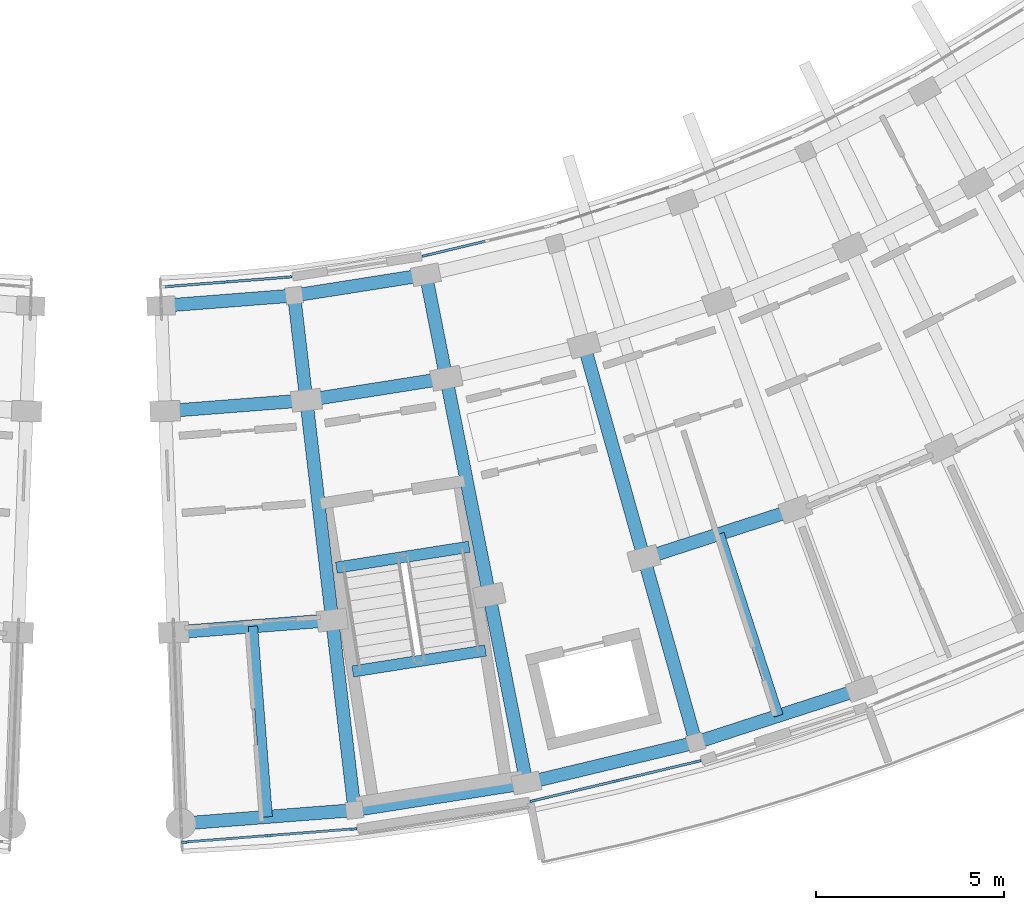
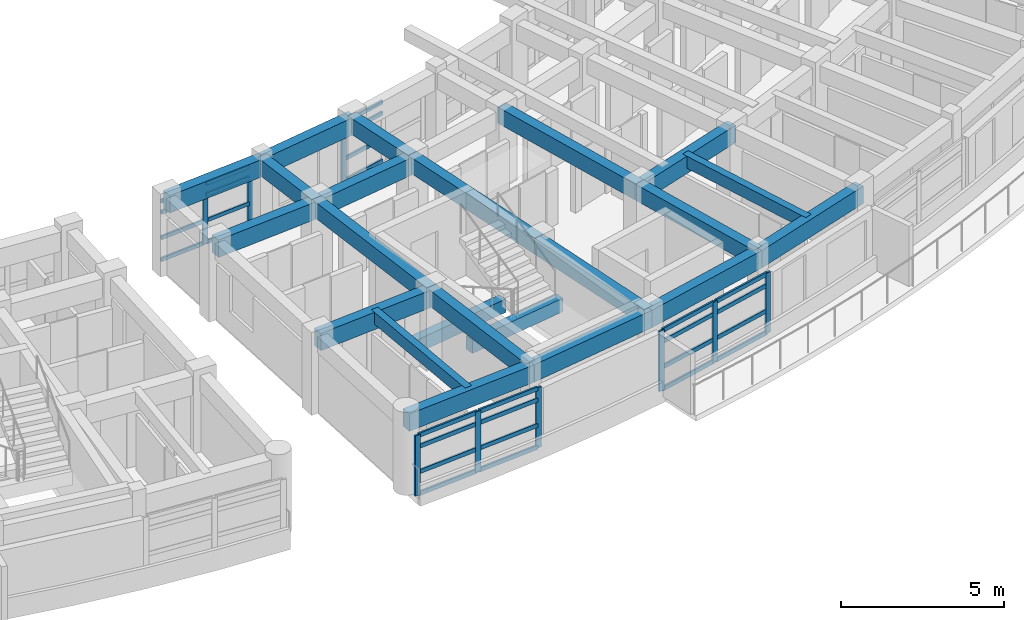
# One storey, part 17 of 55: 37 members, 22 beams, 4 elements without a shape of their own.
"""IFC4 building model written with IfcOpenShell, lengths in metres."""

from ifc_helpers import new_model, si_unit, direction, frame, origin, origin_2d, place, context, subcontext, project, spatial, rectangle, extrude, material, material_profile, profile_set, type_object, element, aggregate, save


model = new_model("IFC4")

# Units and contexts
model_context = context("Model", 3, precision=1e-05, world=origin(), true_north=direction((0.0, 1.0)))
body_context = subcontext(model_context, "Body", "Model", "MODEL_VIEW")
ifc_project = project(units=[si_unit("LENGTHUNIT", "METRE"), si_unit("AREAUNIT", "SQUARE_METRE"), si_unit("VOLUMEUNIT", "CUBIC_METRE"), si_unit("PLANEANGLEUNIT", "RADIAN"), si_unit("MASSUNIT", "GRAM", prefix="KILO")], contexts=[model_context])

# Site, building, storey
site_placement = place(None, origin())
site = spatial("IfcSite", under=ifc_project, at=site_placement, CompositionType="ELEMENT")
building_placement = place(site_placement, origin())
building = spatial("IfcBuilding", under=site, at=building_placement, Name="Zimvara Arc Housing Community", CompositionType="ELEMENT")
storey_placement = place(building_placement, frame((0.0, 0.0, 14.300048828125)))
storey = spatial("IfcBuildingStorey", under=building, at=storey_placement, Name="L04", CompositionType="ELEMENT", Elevation=14.300048828125)

# Beams
ifc_material_1 = material(Name="Concrete C40/50", Category="concrete")
ifc_material_profile_1 = material_profile(ifc_material_1, rectangle(XDim=0.25, YDim=0.449951171875, at=origin_2d()), Name="RC 250x450")
ifc_profile_set_1 = profile_set([ifc_material_profile_1], Name="Concrete C40/50")
beam_type_1 = type_object("IfcBeamType", Name="BM-RC-250x450", PredefinedType="JOIST", material=ifc_profile_set_1)
beam_1_placement = place(storey_placement, frame((130.151123046875, 56.263427734375, 2.635009765625), z_axis=(0.077579175615, -0.996986194243, 0.0), x_axis=(0.996986194243, 0.077579175615, 0.0)))
element("IfcBeam", 1, at=beam_1_placement, inside=storey, type_object=beam_type_1, Name="bm:blkD:L04:joist:b0", PredefinedType="JOIST", context=body_context, shape_type="SweptSolid", body=[
    extrude(rectangle(XDim=0.25, YDim=0.449951171875, at=origin_2d()), origin(), (0.0, 0.0, 1.0), 5.076171875),
])
beam_2_placement = place(storey_placement, frame((142.547607421875, 58.718017578125, 2.635009765625), z_axis=(0.308208278328, -0.951318904033, 0.0), x_axis=(0.951318904033, 0.308208278328, 0.0)))
element("IfcBeam", 2, at=beam_2_placement, inside=storey, type_object=beam_type_1, Name="bm:blkD:L04:joist:b3", PredefinedType="JOIST", context=body_context, shape_type="SweptSolid", body=[
    extrude(rectangle(XDim=0.25, YDim=0.449951171875, at=origin_2d()), origin(), (0.0, 0.0, 1.0), 5.075927734375),
])
ifc_material_2 = material(Name="Concrete C40/50", Category="concrete")
ifc_material_profile_2 = material_profile(ifc_material_2, rectangle(XDim=0.300048828125, YDim=0.5, at=origin_2d()), Name="RC 300x500")
ifc_profile_set_2 = profile_set([ifc_material_profile_2], Name="Concrete C40/50")
beam_type_2 = type_object("IfcBeamType", Name="BM-RC-300x500", PredefinedType="BEAM", material=ifc_profile_set_2)
for number, where, z_axis, x_axis, name in (
    (3, (132.36865234375, 57.8203125, -0.25), (0.987823881982, 0.155576277709, 0.0), (-0.155576277709, 0.987823881982, 0.0), "bm:stair_trim:ST-D1:L04:near"),
    (4, (132.802734375, 55.064208984375, 1.300048828125), (0.987823881982, 0.155576277709, 0.0), (-0.155576277709, 0.987823881982, 0.0), "bm:stair_trim:ST-D1:L04:mid"),
):
    element("IfcBeam", number, at=place(storey_placement, frame(where, z_axis=z_axis, x_axis=x_axis)), inside=storey, type_object=beam_type_2, Name=name, PredefinedType="BEAM", context=body_context, shape_type="SweptSolid", body=[
        extrude(rectangle(XDim=0.300048828125, YDim=0.5, at=origin_2d()), origin(), (0.0, 0.0, 1.0), 3.570068359375),
    ])
ifc_material_3 = material(Name="Concrete C40/50", Category="concrete")
ifc_material_profile_3 = material_profile(ifc_material_3, rectangle(XDim=0.35009765625, YDim=0.60009765625, at=origin_2d()), Name="RC 350x600")
ifc_profile_set_3 = profile_set([ifc_material_profile_3], Name="Concrete C40/50")
beam_type_3 = type_object("IfcBeamType", Name="BM-RC-350x600", PredefinedType="BEAM", material=ifc_profile_set_3)
beam_3_placement = place(storey_placement, frame((131.244140625, 65.048095703125, 2.56005859375), z_axis=(0.116669233141, -0.993170826212, 0.0), x_axis=(0.993170826212, 0.116669233141, 0.0)))
element("IfcBeam", 5, at=beam_3_placement, inside=storey, type_object=beam_type_3, Name="bm:blkD:L04:rad:b1:r01", PredefinedType="BEAM", context=body_context, shape_type="SweptSolid", body=[
    extrude(rectangle(XDim=0.35009765625, YDim=0.60009765625, at=origin_2d()), origin(), (0.0, 0.0, 1.0), 2.7998046875),
])
beam_4_placement = place(storey_placement, frame((131.57080078125, 62.267333984375, 2.56005859375), z_axis=(0.116672613124, -0.993170429154, 0.0), x_axis=(0.993170429154, 0.116672613124, 0.0)))
element("IfcBeam", 6, at=beam_4_placement, inside=storey, type_object=beam_type_3, Name="bm:blkD:L04:rad:b1:r12", PredefinedType="BEAM", context=body_context, shape_type="SweptSolid", body=[
    extrude(rectangle(XDim=0.35009765625, YDim=0.60009765625, at=origin_2d()), origin(), (0.0, 0.0, 1.0), 5.8798828125),
])
beam_5_placement = place(storey_placement, frame((132.2568359375, 56.427490234375, 2.56005859375), z_axis=(0.116685098261, -0.993168962384, 0.0), x_axis=(0.993168962384, 0.116685098261, 0.0)))
element("IfcBeam", 7, at=beam_5_placement, inside=storey, type_object=beam_type_3, Name="bm:blkD:L04:rad:b1:r23", PredefinedType="BEAM", context=body_context, shape_type="SweptSolid", body=[
    extrude(rectangle(XDim=0.35009765625, YDim=0.60009765625, at=origin_2d()), origin(), (0.0, 0.0, 1.0), 5.080078125),
])
beam_6_placement = place(storey_placement, frame((134.743896484375, 65.599365234375, 2.56005859375), z_axis=(0.194170755423, -0.980967745514, 0.0), x_axis=(0.980967745514, 0.194170755423, 0.0)))
element("IfcBeam", 8, at=beam_6_placement, inside=storey, type_object=beam_type_3, Name="bm:blkD:L04:rad:b2:r01", PredefinedType="BEAM", context=body_context, shape_type="SweptSolid", body=[
    extrude(rectangle(XDim=0.35009765625, YDim=0.60009765625, at=origin_2d()), origin(), (0.0, 0.0, 1.0), 2.800048828125),
])
beam_7_placement = place(storey_placement, frame((135.28759765625, 62.8525390625, 2.56005859375), z_axis=(0.194239306935, -0.980954174078, 0.0), x_axis=(0.980954174078, 0.194239306935, 0.0)))
element("IfcBeam", 9, at=beam_7_placement, inside=storey, type_object=beam_type_3, Name="bm:blkD:L04:rad:b2:r12", PredefinedType="BEAM", context=body_context, shape_type="SweptSolid", body=[
    extrude(rectangle(XDim=0.35009765625, YDim=0.60009765625, at=origin_2d()), origin(), (0.0, 0.0, 1.0), 5.8798828125),
])
beam_8_placement = place(storey_placement, frame((136.4296875, 57.084716796875, 2.56005859375), z_axis=(0.194248925774, -0.980952269397, 0.0), x_axis=(0.980952269397, 0.194248925774, 0.0)))
element("IfcBeam", 10, at=beam_8_placement, inside=storey, type_object=beam_type_3, Name="bm:blkD:L04:rad:b2:r23", PredefinedType="BEAM", context=body_context, shape_type="SweptSolid", body=[
    extrude(rectangle(XDim=0.35009765625, YDim=0.60009765625, at=origin_2d()), origin(), (0.0, 0.0, 1.0), 5.080078125),
])
beam_9_placement = place(storey_placement, frame((138.947265625, 63.727783203125, 2.56005859375), z_axis=(0.270589260785, -0.962694890372, 0.0), x_axis=(0.962694890372, 0.270589260785, 0.0)))
element("IfcBeam", 11, at=beam_9_placement, inside=storey, type_object=beam_type_3, Name="bm:blkD:L04:rad:b3:r12", PredefinedType="BEAM", context=body_context, shape_type="SweptSolid", body=[
    extrude(rectangle(XDim=0.35009765625, YDim=0.60009765625, at=origin_2d()), origin(), (0.0, 0.0, 1.0), 5.8798828125),
])
beam_10_placement = place(storey_placement, frame((140.538330078125, 58.067138671875, 2.56005859375), z_axis=(0.270579949442, -0.962697507507, 0.0), x_axis=(0.962697507507, 0.270579949442, 0.0)))
element("IfcBeam", 12, at=beam_10_placement, inside=storey, type_object=beam_type_3, Name="bm:blkD:L04:rad:b3:r23", PredefinedType="BEAM", context=body_context, shape_type="SweptSolid", body=[
    extrude(rectangle(XDim=0.35009765625, YDim=0.60009765625, at=origin_2d()), origin(), (0.0, 0.0, 1.0), 5.079833984375),
])
ifc_material_4 = material(Name="Concrete C40/50", Category="concrete")
ifc_material_profile_4 = material_profile(ifc_material_4, rectangle(XDim=0.35009765625, YDim=0.64990234375, at=origin_2d()), Name="RC 350x650")
ifc_profile_set_4 = profile_set([ifc_material_profile_4], Name="Concrete C40/50")
beam_type_4 = type_object("IfcBeamType", Name="BM-RC-350x650", PredefinedType="BEAM", material=ifc_profile_set_4)
beam_11_placement = place(storey_placement, frame((127.712158203125, 64.773193359375, 2.534912109375), z_axis=(0.996984758472, 0.077597624804, 0.0), x_axis=(-0.077597624804, 0.996984758472, 0.0)))
element("IfcBeam", 13, at=beam_11_placement, inside=storey, type_object=beam_type_4, Name="bm:blkD:L04:chord:r0:b0", PredefinedType="BEAM", context=body_context, shape_type="SweptSolid", body=[
    extrude(rectangle(XDim=0.35009765625, YDim=0.64990234375, at=origin_2d()), origin(), (0.0, 0.0, 1.0), 3.542724609375),
])
beam_12_placement = place(storey_placement, frame((131.244140625, 65.048095703125, 2.534912109375), z_axis=(0.98782044699, 0.155598086453, 0.0), x_axis=(-0.155598086453, 0.98782044699, 0.0)))
element("IfcBeam", 14, at=beam_12_placement, inside=storey, type_object=beam_type_4, Name="bm:blkD:L04:chord:r0:b1", PredefinedType="BEAM", context=body_context, shape_type="SweptSolid", body=[
    extrude(rectangle(XDim=0.35009765625, YDim=0.64990234375, at=origin_2d()), origin(), (0.0, 0.0, 1.0), 3.54296875),
])
beam_13_placement = place(storey_placement, frame((127.819580078125, 61.975341796875, 2.534912109375), z_axis=(0.996984223393, 0.077604499263, 0.0), x_axis=(-0.077604499263, 0.996984223393, 0.0)))
element("IfcBeam", 15, at=beam_13_placement, inside=storey, type_object=beam_type_4, Name="bm:blkD:L04:chord:r1:b0", PredefinedType="BEAM", context=body_context, shape_type="SweptSolid", body=[
    extrude(rectangle(XDim=0.35009765625, YDim=0.64990234375, at=origin_2d()), origin(), (0.0, 0.0, 1.0), 3.762451171875),
])
beam_14_placement = place(storey_placement, frame((131.57080078125, 62.267333984375, 2.534912109375), z_axis=(0.987830739488, 0.155532730068, 0.0), x_axis=(-0.155532730068, 0.987830739488, 0.0)))
element("IfcBeam", 16, at=beam_14_placement, inside=storey, type_object=beam_type_4, Name="bm:blkD:L04:chord:r1:b1", PredefinedType="BEAM", context=body_context, shape_type="SweptSolid", body=[
    extrude(rectangle(XDim=0.35009765625, YDim=0.64990234375, at=origin_2d()), origin(), (0.0, 0.0, 1.0), 3.7626953125),
])
for number, where, z_axis, x_axis, name in (
    (17, (128.045166015625, 56.099609375, 2.534912109375), (0.996983350574, 0.077615711543, 0.0), (-0.077615711543, 0.996983350574, 0.0), "bm:blkD:L04:chord:r2:b0"),
    (18, (140.538330078125, 58.067138671875, 2.534912109375), (0.951319487454, 0.308206477528, 0.0), (-0.308206477528, 0.951319487454, 0.0), "bm:blkD:L04:chord:r2:b3"),
):
    element("IfcBeam", number, at=place(storey_placement, frame(where, z_axis=z_axis, x_axis=x_axis)), inside=storey, type_object=beam_type_4, Name=name, PredefinedType="BEAM", context=body_context, shape_type="SweptSolid", body=[
        extrude(rectangle(XDim=0.35009765625, YDim=0.64990234375, at=origin_2d()), origin(), (0.0, 0.0, 1.0), 4.224365234375),
    ])
for number, where, z_axis, x_axis, name in (
    (19, (128.240234375, 51.0234375, 2.534912109375), (0.996986694494, 0.077572746515, 0.0), (-0.077572746515, 0.996986694494, 0.0), "bm:blkD:L04:chord:r3:b0"),
    (20, (132.849609375, 51.382080078125, 2.534912109375), (0.987824544931, 0.155572068287, 0.0), (-0.155572068287, 0.987824544931, 0.0), "bm:blkD:L04:chord:r3:b1"),
):
    element("IfcBeam", number, at=place(storey_placement, frame(where, z_axis=z_axis, x_axis=x_axis)), inside=storey, type_object=beam_type_4, Name=name, PredefinedType="BEAM", context=body_context, shape_type="SweptSolid", body=[
        extrude(rectangle(XDim=0.35009765625, YDim=0.64990234375, at=origin_2d()), origin(), (0.0, 0.0, 1.0), 4.623291015625),
    ])
beam_15_placement = place(storey_placement, frame((137.41650390625, 52.101318359375, 2.534912109375), z_axis=(0.972567724572, 0.232619906974, 0.0), x_axis=(-0.232619906974, 0.972567724572, 0.0)))
element("IfcBeam", 21, at=beam_15_placement, inside=storey, type_object=beam_type_4, Name="bm:blkD:L04:chord:r3:b2", PredefinedType="BEAM", context=body_context, shape_type="SweptSolid", body=[
    extrude(rectangle(XDim=0.35009765625, YDim=0.64990234375, at=origin_2d()), origin(), (0.0, 0.0, 1.0), 4.623046875),
])
beam_16_placement = place(storey_placement, frame((141.912841796875, 53.1767578125, 2.534912109375), z_axis=(0.951331650007, 0.308168933695, 0.0), x_axis=(-0.308168933695, 0.951331650007, 0.0)))
element("IfcBeam", 22, at=beam_16_placement, inside=storey, type_object=beam_type_4, Name="bm:blkD:L04:chord:r3:b3", PredefinedType="BEAM", context=body_context, shape_type="SweptSolid", body=[
    extrude(rectangle(XDim=0.35009765625, YDim=0.64990234375, at=origin_2d()), origin(), (0.0, 0.0, 1.0), 4.62353515625),
])

# Curtain wall, members
ifc_material_5 = material(Name="Anodised Aluminium AW-6063", Category="aluminium")
curtain_wall_type_1 = type_object("IfcCurtainWallType", Name="CW-SYS-02", PredefinedType="USERDEFINED", material=ifc_material_5)
curtain_wall_1_placement = place(storey_placement, origin())
curtain_wall_1 = element("IfcCurtainWall", 23, at=curtain_wall_1_placement, inside=storey, type_object=curtain_wall_type_1, Name="cw:blkD:L04:in:b0", ObjectType="CURTAIN WALL", PredefinedType="USERDEFINED")
ifc_material_6 = material(Name="Anodised Aluminium AW-6063", Category="aluminium")
ifc_material_profile_5 = material_profile(ifc_material_6, rectangle(XDim=0.06494140625, YDim=0.179931640625, at=origin_2d()), Name="ALU 65x180")
ifc_profile_set_5 = profile_set([ifc_material_profile_5], Name="Anodised Aluminium AW-6063")
member_type_1 = type_object("IfcMemberType", Name="CWM-65x150", PredefinedType="MULLION", material=ifc_profile_set_5)
member_1_placement = place(storey_placement, frame((129.439453125, 65.40869140625, 0.0), z_axis=(0.0, 0.0, 1.0), x_axis=(-0.077590099579, 0.996985344149, 0.0)))
member_1 = element("IfcMember", 24, at=member_1_placement, type_object=member_type_1, Name="CW02 mullion 2", PredefinedType="MULLION", context=body_context, shape_type="SweptSolid", body=[
    extrude(rectangle(XDim=0.06494140625, YDim=0.179931640625, at=origin_2d()), origin(), (0.0, 0.0, 1.0), 2.25),
])
member_2_placement = place(storey_placement, frame((131.09375, 65.53759765625, 0.0), z_axis=(0.0, 0.0, 1.0), x_axis=(-0.077590099579, 0.996985344149, 0.0)))
member_2 = element("IfcMember", 25, at=member_2_placement, type_object=member_type_1, Name="CW02 mullion 3", PredefinedType="MULLION", context=body_context, shape_type="SweptSolid", body=[
    extrude(rectangle(XDim=0.06494140625, YDim=0.179931640625, at=origin_2d()), origin(), (0.0, 0.0, 1.0), 2.25),
])

# Curtain wall, member
ifc_material_7 = material(Name="Anodised Aluminium AW-6063", Category="aluminium")
curtain_wall_type_2 = type_object("IfcCurtainWallType", Name="CW-SYS-04", PredefinedType="USERDEFINED", material=ifc_material_7)
curtain_wall_2_placement = place(storey_placement, origin())
curtain_wall_2 = element("IfcCurtainWall", 26, at=curtain_wall_2_placement, inside=storey, type_object=curtain_wall_type_2, Name="cw:blkD:L04:in:b2", ObjectType="CURTAIN WALL", PredefinedType="USERDEFINED")
member_3_placement = place(storey_placement, frame((134.73681640625, 66.111328125, 0.0), z_axis=(0.0, 0.0, 1.0), x_axis=(-0.232596003485, 0.972573441526, 0.0)))
member_3 = element("IfcMember", 27, at=member_3_placement, type_object=member_type_1, Name="CW04 mullion 1", PredefinedType="MULLION", context=body_context, shape_type="SweptSolid", body=[
    extrude(rectangle(XDim=0.06494140625, YDim=0.179931640625, at=origin_2d()), origin(), (0.0, 0.0, 1.0), 2.25),
])

# Curtain wall, members
ifc_material_8 = material(Name="Anodised Aluminium AW-6063", Category="aluminium")
curtain_wall_type_3 = type_object("IfcCurtainWallType", Name="CW-SYS-01", PredefinedType="USERDEFINED", material=ifc_material_8)
curtain_wall_3_placement = place(storey_placement, origin())
curtain_wall_3 = element("IfcCurtainWall", 28, at=curtain_wall_3_placement, inside=storey, type_object=curtain_wall_type_3, Name="cw:blkD:L04:out:b0", ObjectType="CURTAIN WALL", PredefinedType="USERDEFINED")
ifc_material_9 = material(Name="Anodised Aluminium AW-6063", Category="aluminium")
ifc_material_profile_6 = material_profile(ifc_material_9, rectangle(XDim=0.06494140625, YDim=0.195068359375, at=origin_2d()), Name="ALU 65x195")
ifc_profile_set_6 = profile_set([ifc_material_profile_6], Name="Anodised Aluminium AW-6063")
member_type_2 = type_object("IfcMemberType", Name="CWM-65x180", PredefinedType="MULLION", material=ifc_profile_set_6)
member_4_placement = place(storey_placement, frame((128.351806640625, 50.531005859375, 0.0), z_axis=(0.0, 0.0, 1.0), x_axis=(-0.077589538059, 0.996985387849, 0.0)))
member_4 = element("IfcMember", 29, at=member_4_placement, type_object=member_type_2, Name="CW01 mullion 1", PredefinedType="MULLION", context=body_context, shape_type="SweptSolid", body=[
    extrude(rectangle(XDim=0.06494140625, YDim=0.195068359375, at=origin_2d()), origin(), (0.0, 0.0, 1.0), 2.25),
])
member_5_placement = place(storey_placement, frame((130.583740234375, 50.70458984375, 0.0), z_axis=(0.0, 0.0, 1.0), x_axis=(-0.077589538059, 0.996985387849, 0.0)))
member_5 = element("IfcMember", 30, at=member_5_placement, type_object=member_type_2, Name="CW01 mullion 2", PredefinedType="MULLION", context=body_context, shape_type="SweptSolid", body=[
    extrude(rectangle(XDim=0.06494140625, YDim=0.195068359375, at=origin_2d()), origin(), (0.0, 0.0, 1.0), 2.25),
])
member_6_placement = place(storey_placement, frame((132.815673828125, 50.87841796875, 0.0), z_axis=(0.0, 0.0, 1.0), x_axis=(-0.077589538059, 0.996985387849, 0.0)))
member_6 = element("IfcMember", 31, at=member_6_placement, type_object=member_type_2, Name="CW01 mullion 3", PredefinedType="MULLION", context=body_context, shape_type="SweptSolid", body=[
    extrude(rectangle(XDim=0.06494140625, YDim=0.195068359375, at=origin_2d()), origin(), (0.0, 0.0, 1.0), 2.25),
])

ifc_material_10 = material(Name="Anodised Aluminium AW-6063", Category="aluminium")
curtain_wall_type_4 = type_object("IfcCurtainWallType", Name="CW-SYS-03", PredefinedType="USERDEFINED", material=ifc_material_10)
curtain_wall_4_placement = place(storey_placement, origin())
curtain_wall_4 = element("IfcCurtainWall", 32, at=curtain_wall_4_placement, inside=storey, type_object=curtain_wall_type_4, Name="cw:blkD:L04:out:b2", ObjectType="CURTAIN WALL", PredefinedType="USERDEFINED")
member_7_placement = place(storey_placement, frame((137.603515625, 51.63232421875, 0.0), z_axis=(0.0, 0.0, 1.0), x_axis=(-0.232596798101, 0.97257325149, 0.0)))
member_7 = element("IfcMember", 33, at=member_7_placement, type_object=member_type_2, Name="CW03 mullion 1", PredefinedType="MULLION", context=body_context, shape_type="SweptSolid", body=[
    extrude(rectangle(XDim=0.06494140625, YDim=0.195068359375, at=origin_2d()), origin(), (0.0, 0.0, 1.0), 2.25),
])
member_8_placement = place(storey_placement, frame((139.781005859375, 52.153076171875, 0.0), z_axis=(0.0, 0.0, 1.0), x_axis=(-0.232596798101, 0.97257325149, 0.0)))
member_8 = element("IfcMember", 34, at=member_8_placement, type_object=member_type_2, Name="CW03 mullion 2", PredefinedType="MULLION", context=body_context, shape_type="SweptSolid", body=[
    extrude(rectangle(XDim=0.06494140625, YDim=0.195068359375, at=origin_2d()), origin(), (0.0, 0.0, 1.0), 2.25),
])
member_9_placement = place(storey_placement, frame((141.958251953125, 52.673828125, 0.0), z_axis=(0.0, 0.0, 1.0), x_axis=(-0.232596798101, 0.97257325149, 0.0)))
member_9 = element("IfcMember", 35, at=member_9_placement, type_object=member_type_2, Name="CW03 mullion 3", PredefinedType="MULLION", context=body_context, shape_type="SweptSolid", body=[
    extrude(rectangle(XDim=0.06494140625, YDim=0.195068359375, at=origin_2d()), origin(), (0.0, 0.0, 1.0), 2.25),
])

# Member
ifc_material_11 = material(Name="Anodised Aluminium AW-6063", Category="aluminium")
ifc_material_profile_7 = material_profile(ifc_material_11, rectangle(XDim=0.06494140625, YDim=0.139892578125, at=origin_2d()), Name="ALU 65x140")
ifc_profile_set_7 = profile_set([ifc_material_profile_7], Name="Anodised Aluminium AW-6063")
member_type_3 = type_object("IfcMemberType", Name="CWT-65x120", PredefinedType="USERDEFINED", material=ifc_profile_set_7)
member_10_placement = place(storey_placement, frame((127.8173828125, 65.282470703125, 0.032470703125), z_axis=(0.996981987707, 0.077633215753, 0.0), x_axis=(-0.077633215753, 0.996981987707, 0.0)))
member_10 = element("IfcMember", 36, at=member_10_placement, type_object=member_type_3, Name="CW02 transom 1.1", ObjectType="TRANSOM", PredefinedType="USERDEFINED", context=body_context, shape_type="SweptSolid", body=[
    extrude(rectangle(XDim=0.06494140625, YDim=0.139892578125, at=origin_2d()), origin(), (0.0, 0.0, 1.0), 1.594482421875),
])

member_11_placement = place(storey_placement, frame((127.8173828125, 65.282470703125, 0.849853515625), z_axis=(0.996981987707, 0.077633215753, 0.0), x_axis=(-0.077633215753, 0.996981987707, 0.0)))
member_11 = element("IfcMember", 37, at=member_11_placement, type_object=member_type_3, Name="CW02 transom 1.2", ObjectType="TRANSOM", PredefinedType="USERDEFINED", context=body_context, shape_type="SweptSolid", body=[
    extrude(rectangle(XDim=0.06494140625, YDim=0.139892578125, at=origin_2d()), origin(), (0.0, 0.0, 1.0), 1.594482421875),
])

member_12_placement = place(storey_placement, frame((127.8173828125, 65.282470703125, 1.800048828125), z_axis=(0.996981987707, 0.077633215753, 0.0), x_axis=(-0.077633215753, 0.996981987707, 0.0)))
member_12 = element("IfcMember", 38, at=member_12_placement, type_object=member_type_3, Name="CW02 transom 1.3", ObjectType="TRANSOM", PredefinedType="USERDEFINED", context=body_context, shape_type="SweptSolid", body=[
    extrude(rectangle(XDim=0.06494140625, YDim=0.139892578125, at=origin_2d()), origin(), (0.0, 0.0, 1.0), 1.594482421875),
])

member_13_placement = place(storey_placement, frame((127.8173828125, 65.282470703125, 2.217529296875), z_axis=(0.996981987707, 0.077633215753, 0.0), x_axis=(-0.077633215753, 0.996981987707, 0.0)))
member_13 = element("IfcMember", 39, at=member_13_placement, type_object=member_type_3, Name="CW02 transom 1.4", ObjectType="TRANSOM", PredefinedType="USERDEFINED", context=body_context, shape_type="SweptSolid", body=[
    extrude(rectangle(XDim=0.06494140625, YDim=0.139892578125, at=origin_2d()), origin(), (0.0, 0.0, 1.0), 1.594482421875),
])

member_14_placement = place(storey_placement, frame((129.4716796875, 65.411376953125, 0.032470703125), z_axis=(0.996993827762, 0.077481013185, 0.0), x_axis=(-0.077481013185, 0.996993827762, 0.0)))
member_14 = element("IfcMember", 40, at=member_14_placement, type_object=member_type_3, Name="CW02 transom 2.1", ObjectType="TRANSOM", PredefinedType="USERDEFINED", context=body_context, shape_type="SweptSolid", body=[
    extrude(rectangle(XDim=0.06494140625, YDim=0.139892578125, at=origin_2d()), origin(), (0.0, 0.0, 1.0), 1.594482421875),
])

member_15_placement = place(storey_placement, frame((129.4716796875, 65.411376953125, 0.849853515625), z_axis=(0.996993827762, 0.077481013185, 0.0), x_axis=(-0.077481013185, 0.996993827762, 0.0)))
member_15 = element("IfcMember", 41, at=member_15_placement, type_object=member_type_3, Name="CW02 transom 2.2", ObjectType="TRANSOM", PredefinedType="USERDEFINED", context=body_context, shape_type="SweptSolid", body=[
    extrude(rectangle(XDim=0.06494140625, YDim=0.139892578125, at=origin_2d()), origin(), (0.0, 0.0, 1.0), 1.594482421875),
])

member_16_placement = place(storey_placement, frame((129.4716796875, 65.411376953125, 1.800048828125), z_axis=(0.996993827762, 0.077481013185, 0.0), x_axis=(-0.077481013185, 0.996993827762, 0.0)))
member_16 = element("IfcMember", 42, at=member_16_placement, type_object=member_type_3, Name="CW02 transom 2.3", ObjectType="TRANSOM", PredefinedType="USERDEFINED", context=body_context, shape_type="SweptSolid", body=[
    extrude(rectangle(XDim=0.06494140625, YDim=0.139892578125, at=origin_2d()), origin(), (0.0, 0.0, 1.0), 1.594482421875),
])

member_17_placement = place(storey_placement, frame((129.4716796875, 65.411376953125, 2.217529296875), z_axis=(0.996993827762, 0.077481013185, 0.0), x_axis=(-0.077481013185, 0.996993827762, 0.0)))
member_17 = element("IfcMember", 43, at=member_17_placement, type_object=member_type_3, Name="CW02 transom 2.4", ObjectType="TRANSOM", PredefinedType="USERDEFINED", context=body_context, shape_type="SweptSolid", body=[
    extrude(rectangle(XDim=0.06494140625, YDim=0.139892578125, at=origin_2d()), origin(), (0.0, 0.0, 1.0), 1.594482421875),
])

aggregate(curtain_wall_1, [member_1, member_2, member_10, member_11, member_12, member_13, member_14, member_15, member_16, member_17])

member_18_placement = place(storey_placement, frame((134.768310546875, 66.118896484375, 0.032470703125), z_axis=(0.972569101566, 0.232614149784, 0.0), x_axis=(-0.232614149784, 0.972569101566, 0.0)))
member_18 = element("IfcMember", 44, at=member_18_placement, type_object=member_type_3, Name="CW04 transom 1.1", ObjectType="TRANSOM", PredefinedType="USERDEFINED", context=body_context, shape_type="SweptSolid", body=[
    extrude(rectangle(XDim=0.06494140625, YDim=0.139892578125, at=origin_2d()), origin(), (0.0, 0.0, 1.0), 1.59423828125),
])

member_19_placement = place(storey_placement, frame((134.768310546875, 66.118896484375, 0.849853515625), z_axis=(0.972569101566, 0.232614149784, 0.0), x_axis=(-0.232614149784, 0.972569101566, 0.0)))
member_19 = element("IfcMember", 45, at=member_19_placement, type_object=member_type_3, Name="CW04 transom 1.2", ObjectType="TRANSOM", PredefinedType="USERDEFINED", context=body_context, shape_type="SweptSolid", body=[
    extrude(rectangle(XDim=0.06494140625, YDim=0.139892578125, at=origin_2d()), origin(), (0.0, 0.0, 1.0), 1.59423828125),
])

member_20_placement = place(storey_placement, frame((134.768310546875, 66.118896484375, 1.800048828125), z_axis=(0.972569101566, 0.232614149784, 0.0), x_axis=(-0.232614149784, 0.972569101566, 0.0)))
member_20 = element("IfcMember", 46, at=member_20_placement, type_object=member_type_3, Name="CW04 transom 1.3", ObjectType="TRANSOM", PredefinedType="USERDEFINED", context=body_context, shape_type="SweptSolid", body=[
    extrude(rectangle(XDim=0.06494140625, YDim=0.139892578125, at=origin_2d()), origin(), (0.0, 0.0, 1.0), 1.59423828125),
])

member_21_placement = place(storey_placement, frame((134.768310546875, 66.118896484375, 2.217529296875), z_axis=(0.972569101566, 0.232614149784, 0.0), x_axis=(-0.232614149784, 0.972569101566, 0.0)))
member_21 = element("IfcMember", 47, at=member_21_placement, type_object=member_type_3, Name="CW04 transom 1.4", ObjectType="TRANSOM", PredefinedType="USERDEFINED", context=body_context, shape_type="SweptSolid", body=[
    extrude(rectangle(XDim=0.06494140625, YDim=0.139892578125, at=origin_2d()), origin(), (0.0, 0.0, 1.0), 1.59423828125),
])

aggregate(curtain_wall_2, [member_3, member_18, member_19, member_20, member_21])

ifc_material_12 = material(Name="Anodised Aluminium AW-6063", Category="aluminium")
ifc_material_profile_8 = material_profile(ifc_material_12, rectangle(XDim=0.06494140625, YDim=0.155029296875, at=origin_2d()), Name="ALU 65x155")
ifc_profile_set_8 = profile_set([ifc_material_profile_8], Name="Anodised Aluminium AW-6063")
member_type_4 = type_object("IfcMemberType", Name="CWT-65x140", PredefinedType="USERDEFINED", material=ifc_profile_set_8)
member_22_placement = place(storey_placement, frame((128.384033203125, 50.533447265625, 0.032470703125), z_axis=(0.99698404072, 0.077606846022, 0.0), x_axis=(-0.077606846022, 0.99698404072, 0.0)))
member_22 = element("IfcMember", 48, at=member_22_placement, type_object=member_type_4, Name="CW01 transom 1.1", ObjectType="TRANSOM", PredefinedType="USERDEFINED", context=body_context, shape_type="SweptSolid", body=[
    extrude(rectangle(XDim=0.06494140625, YDim=0.155029296875, at=origin_2d()), origin(), (0.0, 0.0, 1.0), 2.173828125),
])

member_23_placement = place(storey_placement, frame((128.384033203125, 50.533447265625, 0.849853515625), z_axis=(0.99698404072, 0.077606846022, 0.0), x_axis=(-0.077606846022, 0.99698404072, 0.0)))
member_23 = element("IfcMember", 49, at=member_23_placement, type_object=member_type_4, Name="CW01 transom 1.2", ObjectType="TRANSOM", PredefinedType="USERDEFINED", context=body_context, shape_type="SweptSolid", body=[
    extrude(rectangle(XDim=0.06494140625, YDim=0.155029296875, at=origin_2d()), origin(), (0.0, 0.0, 1.0), 2.173828125),
])

member_24_placement = place(storey_placement, frame((128.384033203125, 50.533447265625, 1.800048828125), z_axis=(0.99698404072, 0.077606846022, 0.0), x_axis=(-0.077606846022, 0.99698404072, 0.0)))
member_24 = element("IfcMember", 50, at=member_24_placement, type_object=member_type_4, Name="CW01 transom 1.3", ObjectType="TRANSOM", PredefinedType="USERDEFINED", context=body_context, shape_type="SweptSolid", body=[
    extrude(rectangle(XDim=0.06494140625, YDim=0.155029296875, at=origin_2d()), origin(), (0.0, 0.0, 1.0), 2.173828125),
])

member_25_placement = place(storey_placement, frame((128.384033203125, 50.533447265625, 2.217529296875), z_axis=(0.99698404072, 0.077606846022, 0.0), x_axis=(-0.077606846022, 0.99698404072, 0.0)))
member_25 = element("IfcMember", 51, at=member_25_placement, type_object=member_type_4, Name="CW01 transom 1.4", ObjectType="TRANSOM", PredefinedType="USERDEFINED", context=body_context, shape_type="SweptSolid", body=[
    extrude(rectangle(XDim=0.06494140625, YDim=0.155029296875, at=origin_2d()), origin(), (0.0, 0.0, 1.0), 2.173828125),
])

member_26_placement = place(storey_placement, frame((130.6162109375, 50.707275390625, 0.032470703125), z_axis=(0.996992049751, 0.0775038885, 0.0), x_axis=(-0.0775038885, 0.996992049751, 0.0)))
member_26 = element("IfcMember", 52, at=member_26_placement, type_object=member_type_4, Name="CW01 transom 2.1", ObjectType="TRANSOM", PredefinedType="USERDEFINED", context=body_context, shape_type="SweptSolid", body=[
    extrude(rectangle(XDim=0.06494140625, YDim=0.155029296875, at=origin_2d()), origin(), (0.0, 0.0, 1.0), 2.173583984375),
])

member_27_placement = place(storey_placement, frame((130.6162109375, 50.707275390625, 0.849853515625), z_axis=(0.996992049751, 0.0775038885, 0.0), x_axis=(-0.0775038885, 0.996992049751, 0.0)))
member_27 = element("IfcMember", 53, at=member_27_placement, type_object=member_type_4, Name="CW01 transom 2.2", ObjectType="TRANSOM", PredefinedType="USERDEFINED", context=body_context, shape_type="SweptSolid", body=[
    extrude(rectangle(XDim=0.06494140625, YDim=0.155029296875, at=origin_2d()), origin(), (0.0, 0.0, 1.0), 2.173583984375),
])

member_28_placement = place(storey_placement, frame((130.6162109375, 50.707275390625, 1.800048828125), z_axis=(0.996992049751, 0.0775038885, 0.0), x_axis=(-0.0775038885, 0.996992049751, 0.0)))
member_28 = element("IfcMember", 54, at=member_28_placement, type_object=member_type_4, Name="CW01 transom 2.3", ObjectType="TRANSOM", PredefinedType="USERDEFINED", context=body_context, shape_type="SweptSolid", body=[
    extrude(rectangle(XDim=0.06494140625, YDim=0.155029296875, at=origin_2d()), origin(), (0.0, 0.0, 1.0), 2.173583984375),
])

member_29_placement = place(storey_placement, frame((130.6162109375, 50.707275390625, 2.217529296875), z_axis=(0.996992049751, 0.0775038885, 0.0), x_axis=(-0.0775038885, 0.996992049751, 0.0)))
member_29 = element("IfcMember", 55, at=member_29_placement, type_object=member_type_4, Name="CW01 transom 2.4", ObjectType="TRANSOM", PredefinedType="USERDEFINED", context=body_context, shape_type="SweptSolid", body=[
    extrude(rectangle(XDim=0.06494140625, YDim=0.155029296875, at=origin_2d()), origin(), (0.0, 0.0, 1.0), 2.173583984375),
])

aggregate(curtain_wall_3, [member_4, member_5, member_6, member_22, member_23, member_24, member_25, member_26, member_27, member_28, member_29])

member_30_placement = place(storey_placement, frame((137.63525390625, 51.639892578125, 0.032470703125), z_axis=(0.972569501663, 0.232612476954, 0.0), x_axis=(-0.232612476954, 0.972569501663, 0.0)))
member_30 = element("IfcMember", 56, at=member_30_placement, type_object=member_type_4, Name="CW03 transom 1.1", ObjectType="TRANSOM", PredefinedType="USERDEFINED", context=body_context, shape_type="SweptSolid", body=[
    extrude(rectangle(XDim=0.06494140625, YDim=0.155029296875, at=origin_2d()), origin(), (0.0, 0.0, 1.0), 2.173583984375),
])

member_31_placement = place(storey_placement, frame((137.63525390625, 51.639892578125, 0.849853515625), z_axis=(0.972569501663, 0.232612476954, 0.0), x_axis=(-0.232612476954, 0.972569501663, 0.0)))
member_31 = element("IfcMember", 57, at=member_31_placement, type_object=member_type_4, Name="CW03 transom 1.2", ObjectType="TRANSOM", PredefinedType="USERDEFINED", context=body_context, shape_type="SweptSolid", body=[
    extrude(rectangle(XDim=0.06494140625, YDim=0.155029296875, at=origin_2d()), origin(), (0.0, 0.0, 1.0), 2.173583984375),
])

member_32_placement = place(storey_placement, frame((137.63525390625, 51.639892578125, 1.800048828125), z_axis=(0.972569501663, 0.232612476954, 0.0), x_axis=(-0.232612476954, 0.972569501663, 0.0)))
member_32 = element("IfcMember", 58, at=member_32_placement, type_object=member_type_4, Name="CW03 transom 1.3", ObjectType="TRANSOM", PredefinedType="USERDEFINED", context=body_context, shape_type="SweptSolid", body=[
    extrude(rectangle(XDim=0.06494140625, YDim=0.155029296875, at=origin_2d()), origin(), (0.0, 0.0, 1.0), 2.173583984375),
])

member_33_placement = place(storey_placement, frame((137.63525390625, 51.639892578125, 2.217529296875), z_axis=(0.972569501663, 0.232612476954, 0.0), x_axis=(-0.232612476954, 0.972569501663, 0.0)))
member_33 = element("IfcMember", 59, at=member_33_placement, type_object=member_type_4, Name="CW03 transom 1.4", ObjectType="TRANSOM", PredefinedType="USERDEFINED", context=body_context, shape_type="SweptSolid", body=[
    extrude(rectangle(XDim=0.06494140625, YDim=0.155029296875, at=origin_2d()), origin(), (0.0, 0.0, 1.0), 2.173583984375),
])

member_34_placement = place(storey_placement, frame((139.8125, 52.16064453125, 0.032470703125), z_axis=(0.972575578083, 0.232587069539, 0.0), x_axis=(-0.232587069539, 0.972575578083, 0.0)))
member_34 = element("IfcMember", 60, at=member_34_placement, type_object=member_type_4, Name="CW03 transom 2.1", ObjectType="TRANSOM", PredefinedType="USERDEFINED", context=body_context, shape_type="SweptSolid", body=[
    extrude(rectangle(XDim=0.06494140625, YDim=0.155029296875, at=origin_2d()), origin(), (0.0, 0.0, 1.0), 2.173828125),
])

member_35_placement = place(storey_placement, frame((139.8125, 52.16064453125, 0.849853515625), z_axis=(0.972575578083, 0.232587069539, 0.0), x_axis=(-0.232587069539, 0.972575578083, 0.0)))
member_35 = element("IfcMember", 61, at=member_35_placement, type_object=member_type_4, Name="CW03 transom 2.2", ObjectType="TRANSOM", PredefinedType="USERDEFINED", context=body_context, shape_type="SweptSolid", body=[
    extrude(rectangle(XDim=0.06494140625, YDim=0.155029296875, at=origin_2d()), origin(), (0.0, 0.0, 1.0), 2.173828125),
])

member_36_placement = place(storey_placement, frame((139.8125, 52.16064453125, 1.800048828125), z_axis=(0.972575578083, 0.232587069539, 0.0), x_axis=(-0.232587069539, 0.972575578083, 0.0)))
member_36 = element("IfcMember", 62, at=member_36_placement, type_object=member_type_4, Name="CW03 transom 2.3", ObjectType="TRANSOM", PredefinedType="USERDEFINED", context=body_context, shape_type="SweptSolid", body=[
    extrude(rectangle(XDim=0.06494140625, YDim=0.155029296875, at=origin_2d()), origin(), (0.0, 0.0, 1.0), 2.173828125),
])

member_37_placement = place(storey_placement, frame((139.8125, 52.16064453125, 2.217529296875), z_axis=(0.972575578083, 0.232587069539, 0.0), x_axis=(-0.232587069539, 0.972575578083, 0.0)))
member_37 = element("IfcMember", 63, at=member_37_placement, type_object=member_type_4, Name="CW03 transom 2.4", ObjectType="TRANSOM", PredefinedType="USERDEFINED", context=body_context, shape_type="SweptSolid", body=[
    extrude(rectangle(XDim=0.06494140625, YDim=0.155029296875, at=origin_2d()), origin(), (0.0, 0.0, 1.0), 2.173828125),
])

aggregate(curtain_wall_4, [member_7, member_8, member_9, member_30, member_31, member_32, member_33, member_34, member_35, member_36, member_37])

save(model, "model.ifc")
